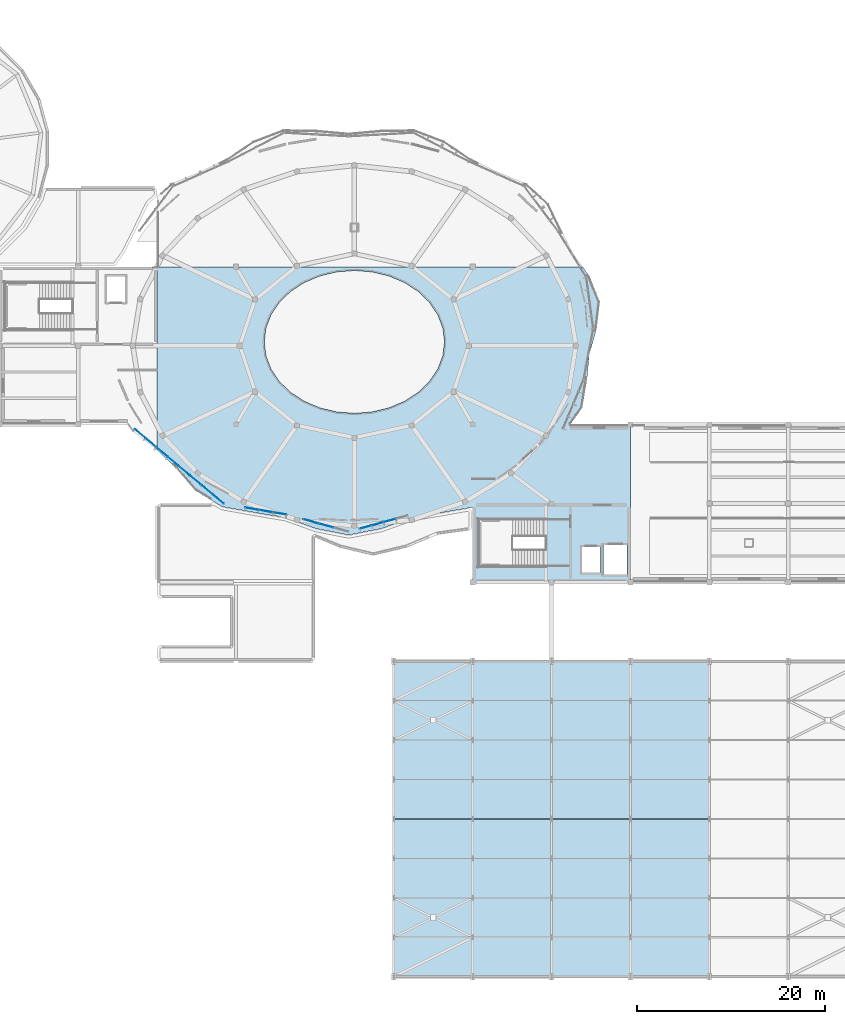
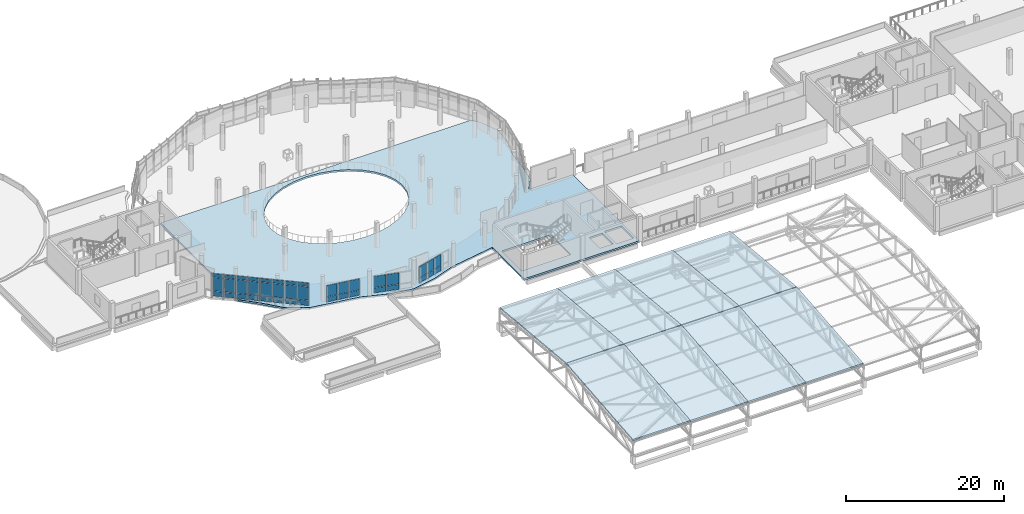
# One storey, part 49 of 74: 40 plates, 9 slabs, 7 elements without a shape of their own.
"""IFC4 building model written with IfcOpenShell, lengths in metres."""

from ifc_helpers import new_model, si_unit, derived_unit, direction, frame, origin, origin_2d, place, context, subcontext, project, spatial, polyline, rectangle, outline, extrude, material, layer, layer_set, type_object, element, aggregate, save


model = new_model("IFC4")

# Units and contexts
model_context = context("Model", 3, precision=1e-05, world=origin(), true_north=direction((0.0, 1.0)))
body_context = subcontext(model_context, "Body", "Model", "MODEL_VIEW")
ifc_project = project(units=[si_unit("LENGTHUNIT", "METRE"), si_unit("AREAUNIT", "SQUARE_METRE"), si_unit("VOLUMEUNIT", "CUBIC_METRE"), si_unit("PLANEANGLEUNIT", "RADIAN"), si_unit("MASSUNIT", "GRAM", prefix="KILO"), derived_unit("THERMALTRANSMITTANCEUNIT", [(si_unit("POWERUNIT", "WATT"), 1), (si_unit("LENGTHUNIT", "METRE"), -2), (si_unit("THERMODYNAMICTEMPERATUREUNIT", "KELVIN"), -1)])], contexts=[model_context])

# Site, building, storey
site_placement = place(None, origin())
site = spatial("IfcSite", under=ifc_project, at=site_placement, CompositionType="ELEMENT")
building_placement = place(site_placement, origin())
building = spatial("IfcBuilding", under=site, at=building_placement, Name="Elbkamm Science Centre", CompositionType="ELEMENT")
storey_placement = place(building_placement, frame((0.0, 0.0, 14.39990234375)))
storey = spatial("IfcBuildingStorey", under=building, at=storey_placement, Name="L03", CompositionType="ELEMENT", Elevation=14.39990234375)

# Curtain wall, plates
ifc_material_1 = material(Name="Powder-coated aluminium and triple low-E glazing", Category="aluminium")
ifc_layer_1 = layer(ifc_material_1, 0.159912109375)
ifc_layer_set_1 = layer_set([ifc_layer_1], Name="Powder-coated aluminium and triple low-E glazing")
curtain_wall_type_1 = type_object("IfcCurtainWallType", Name="CW-UNIT-3020x3620", PredefinedType="USERDEFINED", material=ifc_layer_set_1)
curtain_wall_1_placement = place(storey_placement, origin())
curtain_wall_1 = element("IfcCurtainWall", 1, at=curtain_wall_1_placement, inside=storey, type_object=curtain_wall_type_1, Name="L03 Unitised Curtain Wall 065", ObjectType="UNITISED CURTAIN WALL", PredefinedType="USERDEFINED")
ifc_material_2 = material(Name="Triple solar-control insulated safety glass", Category="glass")
ifc_layer_2 = layer(ifc_material_2, 0.0400390625)
ifc_layer_set_2 = layer_set([ifc_layer_2], Name="Triple solar-control insulated safety glass")
plate_type = type_object("IfcPlateType", Name="CW-PNL-40", PredefinedType="CURTAIN_PANEL", material=ifc_layer_set_2)
plate_1_placement = place(storey_placement, frame((40.180908203125, 57.837646484375, 0.06005859375), z_axis=(0.0, 0.0, 1.0), x_axis=(0.765061789622, -0.643956875932, 0.0)))
plate_1 = element("IfcPlate", 2, at=plate_1_placement, type_object=plate_type, Name="CW-026 panel 1.1", PredefinedType="CURTAIN_PANEL", context=body_context, shape_type="SweptSolid", body=[
    extrude(rectangle(XDim=1.41650390625, YDim=0.0400390625, at=origin_2d()), origin(), (0.0, 0.0, 1.0), 0.760009765625),
])
plate_2_placement = place(storey_placement, frame((40.180908203125, 57.837646484375, 0.880126953125), z_axis=(0.0, 0.0, 1.0), x_axis=(0.765061789622, -0.643956875932, 0.0)))
plate_2 = element("IfcPlate", 3, at=plate_2_placement, type_object=plate_type, Name="CW-026 panel 1.2", PredefinedType="CURTAIN_PANEL", context=body_context, shape_type="SweptSolid", body=[
    extrude(rectangle(XDim=1.41650390625, YDim=0.0400390625, at=origin_2d()), origin(), (0.0, 0.0, 1.0), 2.06005859375),
])
plate_3_placement = place(storey_placement, frame((40.180908203125, 57.837646484375, 3.0), z_axis=(0.0, 0.0, 1.0), x_axis=(0.765061789622, -0.643956875932, 0.0)))
plate_3 = element("IfcPlate", 4, at=plate_3_placement, type_object=plate_type, Name="CW-026 panel 1.3", PredefinedType="CURTAIN_PANEL", context=body_context, shape_type="SweptSolid", body=[
    extrude(rectangle(XDim=1.41650390625, YDim=0.0400390625, at=origin_2d()), origin(), (0.0, 0.0, 1.0), 0.56005859375),
])
plate_4_placement = place(storey_placement, frame((41.310546875, 56.886962890625, 0.06005859375), z_axis=(0.0, 0.0, 1.0), x_axis=(0.765061789622, -0.643956875932, 0.0)))
plate_4 = element("IfcPlate", 5, at=plate_4_placement, type_object=plate_type, Name="CW-026 panel 2.1", PredefinedType="CURTAIN_PANEL", context=body_context, shape_type="SweptSolid", body=[
    extrude(rectangle(XDim=1.41650390625, YDim=0.0400390625, at=origin_2d()), origin(), (0.0, 0.0, 1.0), 0.760009765625),
])
plate_5_placement = place(storey_placement, frame((41.310546875, 56.886962890625, 0.880126953125), z_axis=(0.0, 0.0, 1.0), x_axis=(0.765061789622, -0.643956875932, 0.0)))
plate_5 = element("IfcPlate", 6, at=plate_5_placement, type_object=plate_type, Name="CW-026 panel 2.2", PredefinedType="CURTAIN_PANEL", context=body_context, shape_type="SweptSolid", body=[
    extrude(rectangle(XDim=1.41650390625, YDim=0.0400390625, at=origin_2d()), origin(), (0.0, 0.0, 1.0), 2.06005859375),
])
plate_6_placement = place(storey_placement, frame((41.310546875, 56.886962890625, 3.0), z_axis=(0.0, 0.0, 1.0), x_axis=(0.765061789622, -0.643956875932, 0.0)))
plate_6 = element("IfcPlate", 7, at=plate_6_placement, type_object=plate_type, Name="CW-026 panel 2.3", PredefinedType="CURTAIN_PANEL", context=body_context, shape_type="SweptSolid", body=[
    extrude(rectangle(XDim=1.41650390625, YDim=0.0400390625, at=origin_2d()), origin(), (0.0, 0.0, 1.0), 0.56005859375),
])
aggregate(curtain_wall_1, [plate_1, plate_2, plate_3, plate_4, plate_5, plate_6])

curtain_wall_2_placement = place(storey_placement, origin())
curtain_wall_2 = element("IfcCurtainWall", 8, at=curtain_wall_2_placement, inside=storey, type_object=curtain_wall_type_1, Name="L03 Unitised Curtain Wall 066", ObjectType="UNITISED CURTAIN WALL", PredefinedType="USERDEFINED")
plate_7_placement = place(storey_placement, frame((42.54736328125, 55.845947265625, 0.06005859375), z_axis=(0.0, 0.0, 1.0), x_axis=(0.765061789622, -0.643956875932, 0.0)))
plate_7 = element("IfcPlate", 9, at=plate_7_placement, type_object=plate_type, Name="CW-026 panel 1.1", PredefinedType="CURTAIN_PANEL", context=body_context, shape_type="SweptSolid", body=[
    extrude(rectangle(XDim=1.41650390625, YDim=0.0400390625, at=origin_2d()), origin(), (0.0, 0.0, 1.0), 0.760009765625),
])
plate_8_placement = place(storey_placement, frame((42.54736328125, 55.845947265625, 0.880126953125), z_axis=(0.0, 0.0, 1.0), x_axis=(0.765061789622, -0.643956875932, 0.0)))
plate_8 = element("IfcPlate", 10, at=plate_8_placement, type_object=plate_type, Name="CW-026 panel 1.2", PredefinedType="CURTAIN_PANEL", context=body_context, shape_type="SweptSolid", body=[
    extrude(rectangle(XDim=1.41650390625, YDim=0.0400390625, at=origin_2d()), origin(), (0.0, 0.0, 1.0), 2.06005859375),
])
plate_9_placement = place(storey_placement, frame((42.54736328125, 55.845947265625, 3.0), z_axis=(0.0, 0.0, 1.0), x_axis=(0.765061789622, -0.643956875932, 0.0)))
plate_9 = element("IfcPlate", 11, at=plate_9_placement, type_object=plate_type, Name="CW-026 panel 1.3", PredefinedType="CURTAIN_PANEL", context=body_context, shape_type="SweptSolid", body=[
    extrude(rectangle(XDim=1.41650390625, YDim=0.0400390625, at=origin_2d()), origin(), (0.0, 0.0, 1.0), 0.56005859375),
])
plate_10_placement = place(storey_placement, frame((43.67724609375, 54.89501953125, 0.06005859375), z_axis=(0.0, 0.0, 1.0), x_axis=(0.765061789622, -0.643956875932, 0.0)))
plate_10 = element("IfcPlate", 12, at=plate_10_placement, type_object=plate_type, Name="CW-026 panel 2.1", PredefinedType="CURTAIN_PANEL", context=body_context, shape_type="SweptSolid", body=[
    extrude(rectangle(XDim=1.41650390625, YDim=0.0400390625, at=origin_2d()), origin(), (0.0, 0.0, 1.0), 0.760009765625),
])
plate_11_placement = place(storey_placement, frame((43.67724609375, 54.89501953125, 0.880126953125), z_axis=(0.0, 0.0, 1.0), x_axis=(0.765061789622, -0.643956875932, 0.0)))
plate_11 = element("IfcPlate", 13, at=plate_11_placement, type_object=plate_type, Name="CW-026 panel 2.2", PredefinedType="CURTAIN_PANEL", context=body_context, shape_type="SweptSolid", body=[
    extrude(rectangle(XDim=1.41650390625, YDim=0.0400390625, at=origin_2d()), origin(), (0.0, 0.0, 1.0), 2.06005859375),
])
plate_12_placement = place(storey_placement, frame((43.67724609375, 54.89501953125, 3.0), z_axis=(0.0, 0.0, 1.0), x_axis=(0.765061789622, -0.643956875932, 0.0)))
plate_12 = element("IfcPlate", 14, at=plate_12_placement, type_object=plate_type, Name="CW-026 panel 2.3", PredefinedType="CURTAIN_PANEL", context=body_context, shape_type="SweptSolid", body=[
    extrude(rectangle(XDim=1.41650390625, YDim=0.0400390625, at=origin_2d()), origin(), (0.0, 0.0, 1.0), 0.56005859375),
])
aggregate(curtain_wall_2, [plate_7, plate_8, plate_9, plate_10, plate_11, plate_12])

ifc_layer_3 = layer(ifc_material_1, 0.159912109375)
ifc_layer_set_3 = layer_set([ifc_layer_3], Name="Powder-coated aluminium and triple low-E glazing")
curtain_wall_type_2 = type_object("IfcCurtainWallType", Name="CW-UNIT-3120x3620", PredefinedType="USERDEFINED", material=ifc_layer_set_3)
curtain_wall_3_placement = place(storey_placement, origin())
curtain_wall_3 = element("IfcCurtainWall", 15, at=curtain_wall_3_placement, inside=storey, type_object=curtain_wall_type_2, Name="L03 Unitised Curtain Wall 067", ObjectType="UNITISED CURTAIN WALL", PredefinedType="USERDEFINED")
plate_13_placement = place(storey_placement, frame((44.876708984375, 53.889892578125, 0.06005859375), z_axis=(0.0, 0.0, 1.0), x_axis=(0.767835793604, -0.640646699875, 0.0)))
plate_13 = element("IfcPlate", 16, at=plate_13_placement, type_object=plate_type, Name="CW-027 panel 1.1", PredefinedType="CURTAIN_PANEL", context=body_context, shape_type="SweptSolid", body=[
    extrude(rectangle(XDim=1.473388671875, YDim=0.0400390625, at=origin_2d()), origin(), (0.0, 0.0, 1.0), 0.760009765625),
])
plate_14_placement = place(storey_placement, frame((44.876708984375, 53.889892578125, 0.880126953125), z_axis=(0.0, 0.0, 1.0), x_axis=(0.767835793604, -0.640646699875, 0.0)))
plate_14 = element("IfcPlate", 17, at=plate_14_placement, type_object=plate_type, Name="CW-027 panel 1.2", PredefinedType="CURTAIN_PANEL", context=body_context, shape_type="SweptSolid", body=[
    extrude(rectangle(XDim=1.473388671875, YDim=0.0400390625, at=origin_2d()), origin(), (0.0, 0.0, 1.0), 2.06005859375),
])
plate_15_placement = place(storey_placement, frame((44.876708984375, 53.889892578125, 3.0), z_axis=(0.0, 0.0, 1.0), x_axis=(0.767835793604, -0.640646699875, 0.0)))
plate_15 = element("IfcPlate", 18, at=plate_15_placement, type_object=plate_type, Name="CW-027 panel 1.3", PredefinedType="CURTAIN_PANEL", context=body_context, shape_type="SweptSolid", body=[
    extrude(rectangle(XDim=1.473388671875, YDim=0.0400390625, at=origin_2d()), origin(), (0.0, 0.0, 1.0), 0.56005859375),
])
plate_16_placement = place(storey_placement, frame((46.053955078125, 52.90771484375, 0.06005859375), z_axis=(0.0, 0.0, 1.0), x_axis=(0.767835793604, -0.640646699875, 0.0)))
plate_16 = element("IfcPlate", 19, at=plate_16_placement, type_object=plate_type, Name="CW-027 panel 2.1", PredefinedType="CURTAIN_PANEL", context=body_context, shape_type="SweptSolid", body=[
    extrude(rectangle(XDim=1.473388671875, YDim=0.0400390625, at=origin_2d()), origin(), (0.0, 0.0, 1.0), 0.760009765625),
])
plate_17_placement = place(storey_placement, frame((46.053955078125, 52.90771484375, 0.880126953125), z_axis=(0.0, 0.0, 1.0), x_axis=(0.767835793604, -0.640646699875, 0.0)))
plate_17 = element("IfcPlate", 20, at=plate_17_placement, type_object=plate_type, Name="CW-027 panel 2.2", PredefinedType="CURTAIN_PANEL", context=body_context, shape_type="SweptSolid", body=[
    extrude(rectangle(XDim=1.473388671875, YDim=0.0400390625, at=origin_2d()), origin(), (0.0, 0.0, 1.0), 2.06005859375),
])
plate_18_placement = place(storey_placement, frame((46.053955078125, 52.90771484375, 3.0), z_axis=(0.0, 0.0, 1.0), x_axis=(0.767835793604, -0.640646699875, 0.0)))
plate_18 = element("IfcPlate", 21, at=plate_18_placement, type_object=plate_type, Name="CW-027 panel 2.3", PredefinedType="CURTAIN_PANEL", context=body_context, shape_type="SweptSolid", body=[
    extrude(rectangle(XDim=1.473388671875, YDim=0.0400390625, at=origin_2d()), origin(), (0.0, 0.0, 1.0), 0.56005859375),
])
aggregate(curtain_wall_3, [plate_13, plate_14, plate_15, plate_16, plate_17, plate_18])

curtain_wall_4_placement = place(storey_placement, origin())
curtain_wall_4 = element("IfcCurtainWall", 22, at=curtain_wall_4_placement, inside=storey, type_object=curtain_wall_type_2, Name="L03 Unitised Curtain Wall 068", ObjectType="UNITISED CURTAIN WALL", PredefinedType="USERDEFINED")
plate_19_placement = place(storey_placement, frame((47.339111328125, 51.83544921875, 0.06005859375), z_axis=(0.0, 0.0, 1.0), x_axis=(0.767835793604, -0.640646699875, 0.0)))
plate_19 = element("IfcPlate", 23, at=plate_19_placement, type_object=plate_type, Name="CW-027 panel 1.1", PredefinedType="CURTAIN_PANEL", context=body_context, shape_type="SweptSolid", body=[
    extrude(rectangle(XDim=1.473388671875, YDim=0.0400390625, at=origin_2d()), origin(), (0.0, 0.0, 1.0), 0.760009765625),
])
plate_20_placement = place(storey_placement, frame((47.339111328125, 51.83544921875, 0.880126953125), z_axis=(0.0, 0.0, 1.0), x_axis=(0.767835793604, -0.640646699875, 0.0)))
plate_20 = element("IfcPlate", 24, at=plate_20_placement, type_object=plate_type, Name="CW-027 panel 1.2", PredefinedType="CURTAIN_PANEL", context=body_context, shape_type="SweptSolid", body=[
    extrude(rectangle(XDim=1.473388671875, YDim=0.0400390625, at=origin_2d()), origin(), (0.0, 0.0, 1.0), 2.06005859375),
])
plate_21_placement = place(storey_placement, frame((47.339111328125, 51.83544921875, 3.0), z_axis=(0.0, 0.0, 1.0), x_axis=(0.767835793604, -0.640646699875, 0.0)))
plate_21 = element("IfcPlate", 25, at=plate_21_placement, type_object=plate_type, Name="CW-027 panel 1.3", PredefinedType="CURTAIN_PANEL", context=body_context, shape_type="SweptSolid", body=[
    extrude(rectangle(XDim=1.473388671875, YDim=0.0400390625, at=origin_2d()), origin(), (0.0, 0.0, 1.0), 0.56005859375),
])
plate_22_placement = place(storey_placement, frame((48.516357421875, 50.85302734375, 0.06005859375), z_axis=(0.0, 0.0, 1.0), x_axis=(0.767835793604, -0.640646699875, 0.0)))
plate_22 = element("IfcPlate", 26, at=plate_22_placement, type_object=plate_type, Name="CW-027 panel 2.1", PredefinedType="CURTAIN_PANEL", context=body_context, shape_type="SweptSolid", body=[
    extrude(rectangle(XDim=1.473388671875, YDim=0.0400390625, at=origin_2d()), origin(), (0.0, 0.0, 1.0), 0.760009765625),
])
plate_23_placement = place(storey_placement, frame((48.516357421875, 50.85302734375, 0.880126953125), z_axis=(0.0, 0.0, 1.0), x_axis=(0.767835793604, -0.640646699875, 0.0)))
plate_23 = element("IfcPlate", 27, at=plate_23_placement, type_object=plate_type, Name="CW-027 panel 2.2", PredefinedType="CURTAIN_PANEL", context=body_context, shape_type="SweptSolid", body=[
    extrude(rectangle(XDim=1.473388671875, YDim=0.0400390625, at=origin_2d()), origin(), (0.0, 0.0, 1.0), 2.06005859375),
])
plate_24_placement = place(storey_placement, frame((48.516357421875, 50.85302734375, 3.0), z_axis=(0.0, 0.0, 1.0), x_axis=(0.767835793604, -0.640646699875, 0.0)))
plate_24 = element("IfcPlate", 28, at=plate_24_placement, type_object=plate_type, Name="CW-027 panel 2.3", PredefinedType="CURTAIN_PANEL", context=body_context, shape_type="SweptSolid", body=[
    extrude(rectangle(XDim=1.473388671875, YDim=0.0400390625, at=origin_2d()), origin(), (0.0, 0.0, 1.0), 0.56005859375),
])
aggregate(curtain_wall_4, [plate_19, plate_20, plate_21, plate_22, plate_23, plate_24])

ifc_layer_4 = layer(ifc_material_1, 0.159912109375)
ifc_layer_set_4 = layer_set([ifc_layer_4], Name="Powder-coated aluminium and triple low-E glazing")
curtain_wall_type_3 = type_object("IfcCurtainWallType", Name="CW-UNIT-4540x2680", PredefinedType="USERDEFINED", material=ifc_layer_set_4)
curtain_wall_5_placement = place(storey_placement, origin())
curtain_wall_5 = element("IfcCurtainWall", 29, at=curtain_wall_5_placement, inside=storey, type_object=curtain_wall_type_3, Name="L03 Unitised Curtain Wall 069", ObjectType="UNITISED CURTAIN WALL", PredefinedType="USERDEFINED")
plate_25_placement = place(storey_placement, frame((52.08740234375, 49.83544921875, 0.06005859375), z_axis=(0.0, 0.0, 1.0), x_axis=(0.985626553063, -0.168938740073, 0.0)))
plate_25 = element("IfcPlate", 30, at=plate_25_placement, type_object=plate_type, Name="CW-028 panel 1.1", PredefinedType="CURTAIN_PANEL", context=body_context, shape_type="SweptSolid", body=[
    extrude(rectangle(XDim=1.4228515625, YDim=0.0400390625, at=origin_2d()), origin(), (0.0, 0.0, 1.0), 0.760009765625),
])
plate_26_placement = place(storey_placement, frame((52.08740234375, 49.83544921875, 0.880126953125), z_axis=(0.0, 0.0, 1.0), x_axis=(0.985626553063, -0.168938740073, 0.0)))
plate_26 = element("IfcPlate", 31, at=plate_26_placement, type_object=plate_type, Name="CW-028 panel 1.2", PredefinedType="CURTAIN_PANEL", context=body_context, shape_type="SweptSolid", body=[
    extrude(rectangle(XDim=1.4228515625, YDim=0.0400390625, at=origin_2d()), origin(), (0.0, 0.0, 1.0), 1.72998046875),
])
plate_27_placement = place(storey_placement, frame((53.563720703125, 49.58251953125, 0.06005859375), z_axis=(0.0, 0.0, 1.0), x_axis=(0.985626553063, -0.168938740073, 0.0)))
plate_27 = element("IfcPlate", 32, at=plate_27_placement, type_object=plate_type, Name="CW-028 panel 2.1", PredefinedType="CURTAIN_PANEL", context=body_context, shape_type="SweptSolid", body=[
    extrude(rectangle(XDim=1.452880859375, YDim=0.0400390625, at=origin_2d()), origin(), (0.0, 0.0, 1.0), 0.760009765625),
])
plate_28_placement = place(storey_placement, frame((53.563720703125, 49.58251953125, 0.880126953125), z_axis=(0.0, 0.0, 1.0), x_axis=(0.985626553063, -0.168938740073, 0.0)))
plate_28 = element("IfcPlate", 33, at=plate_28_placement, type_object=plate_type, Name="CW-028 panel 2.2", PredefinedType="CURTAIN_PANEL", context=body_context, shape_type="SweptSolid", body=[
    extrude(rectangle(XDim=1.452880859375, YDim=0.0400390625, at=origin_2d()), origin(), (0.0, 0.0, 1.0), 1.72998046875),
])
plate_29_placement = place(storey_placement, frame((55.0400390625, 49.329345703125, 0.06005859375), z_axis=(0.0, 0.0, 1.0), x_axis=(0.985626553063, -0.168938740073, 0.0)))
plate_29 = element("IfcPlate", 34, at=plate_29_placement, type_object=plate_type, Name="CW-028 panel 3.1", PredefinedType="CURTAIN_PANEL", context=body_context, shape_type="SweptSolid", body=[
    extrude(rectangle(XDim=1.4228515625, YDim=0.0400390625, at=origin_2d()), origin(), (0.0, 0.0, 1.0), 0.760009765625),
])
plate_30_placement = place(storey_placement, frame((55.0400390625, 49.329345703125, 0.880126953125), z_axis=(0.0, 0.0, 1.0), x_axis=(0.985626553063, -0.168938740073, 0.0)))
plate_30 = element("IfcPlate", 35, at=plate_30_placement, type_object=plate_type, Name="CW-028 panel 3.2", PredefinedType="CURTAIN_PANEL", context=body_context, shape_type="SweptSolid", body=[
    extrude(rectangle(XDim=1.4228515625, YDim=0.0400390625, at=origin_2d()), origin(), (0.0, 0.0, 1.0), 1.72998046875),
])
aggregate(curtain_wall_5, [plate_25, plate_26, plate_27, plate_28, plate_29, plate_30])

ifc_layer_5 = layer(ifc_material_1, 0.159912109375)
ifc_layer_set_5 = layer_set([ifc_layer_5], Name="Powder-coated aluminium and triple low-E glazing")
curtain_wall_type_4 = type_object("IfcCurtainWallType", Name="CW-UNIT-5080x2680", PredefinedType="USERDEFINED", material=ifc_layer_set_5)
curtain_wall_6_placement = place(storey_placement, origin())
curtain_wall_6 = element("IfcCurtainWall", 36, at=curtain_wall_6_placement, inside=storey, type_object=curtain_wall_type_4, Name="L03 Unitised Curtain Wall 070", ObjectType="UNITISED CURTAIN WALL", PredefinedType="USERDEFINED")
plate_31_placement = place(storey_placement, frame((58.3349609375, 48.50048828125, 0.06005859375), z_axis=(0.0, 0.0, 1.0), x_axis=(0.964050912407, -0.265717591226, 0.0)))
plate_31 = element("IfcPlate", 37, at=plate_31_placement, type_object=plate_type, Name="CW-029 panel 1.1", PredefinedType="CURTAIN_PANEL", context=body_context, shape_type="SweptSolid", body=[
    extrude(rectangle(XDim=1.6025390625, YDim=0.0400390625, at=origin_2d()), origin(), (0.0, 0.0, 1.0), 0.760009765625),
])
plate_32_placement = place(storey_placement, frame((58.3349609375, 48.50048828125, 0.880126953125), z_axis=(0.0, 0.0, 1.0), x_axis=(0.964050912407, -0.265717591226, 0.0)))
plate_32 = element("IfcPlate", 38, at=plate_32_placement, type_object=plate_type, Name="CW-029 panel 1.2", PredefinedType="CURTAIN_PANEL", context=body_context, shape_type="SweptSolid", body=[
    extrude(rectangle(XDim=1.6025390625, YDim=0.0400390625, at=origin_2d()), origin(), (0.0, 0.0, 1.0), 1.72998046875),
])
plate_33_placement = place(storey_placement, frame((59.952392578125, 48.0546875, 0.06005859375), z_axis=(0.0, 0.0, 1.0), x_axis=(0.964050912407, -0.265717591226, 0.0)))
plate_33 = element("IfcPlate", 39, at=plate_33_placement, type_object=plate_type, Name="CW-029 panel 2.1", PredefinedType="CURTAIN_PANEL", context=body_context, shape_type="SweptSolid", body=[
    extrude(rectangle(XDim=1.632568359375, YDim=0.0400390625, at=origin_2d()), origin(), (0.0, 0.0, 1.0), 0.760009765625),
])
plate_34_placement = place(storey_placement, frame((59.952392578125, 48.0546875, 0.880126953125), z_axis=(0.0, 0.0, 1.0), x_axis=(0.964050912407, -0.265717591226, 0.0)))
plate_34 = element("IfcPlate", 40, at=plate_34_placement, type_object=plate_type, Name="CW-029 panel 2.2", PredefinedType="CURTAIN_PANEL", context=body_context, shape_type="SweptSolid", body=[
    extrude(rectangle(XDim=1.632568359375, YDim=0.0400390625, at=origin_2d()), origin(), (0.0, 0.0, 1.0), 1.72998046875),
])
aggregate(curtain_wall_6, [plate_31, plate_32, plate_33, plate_34])

ifc_layer_6 = layer(ifc_material_1, 0.159912109375)
ifc_layer_set_6 = layer_set([ifc_layer_6], Name="Powder-coated aluminium and triple low-E glazing")
curtain_wall_type_5 = type_object("IfcCurtainWallType", Name="CW-UNIT-5360x2680", PredefinedType="USERDEFINED", material=ifc_layer_set_6)
curtain_wall_7_placement = place(storey_placement, origin())
curtain_wall_7 = element("IfcCurtainWall", 41, at=curtain_wall_7_placement, inside=storey, type_object=curtain_wall_type_5, Name="L03 Unitised Curtain Wall 071", ObjectType="UNITISED CURTAIN WALL", PredefinedType="USERDEFINED")
plate_35_placement = place(storey_placement, frame((64.1953125, 47.874755859375, 0.06005859375), z_axis=(0.0, 0.0, 1.0), x_axis=(0.964047563143, 0.265729742405, 0.0)))
plate_35 = element("IfcPlate", 42, at=plate_35_placement, type_object=plate_type, Name="CW-030 panel 1.1", PredefinedType="CURTAIN_PANEL", context=body_context, shape_type="SweptSolid", body=[
    extrude(rectangle(XDim=1.248779296875, YDim=0.0400390625, at=origin_2d()), origin(), (0.0, 0.0, 1.0), 0.760009765625),
])
plate_36_placement = place(storey_placement, frame((64.1953125, 47.874755859375, 0.880126953125), z_axis=(0.0, 0.0, 1.0), x_axis=(0.964047563143, 0.265729742405, 0.0)))
plate_36 = element("IfcPlate", 43, at=plate_36_placement, type_object=plate_type, Name="CW-030 panel 1.2", PredefinedType="CURTAIN_PANEL", context=body_context, shape_type="SweptSolid", body=[
    extrude(rectangle(XDim=1.248779296875, YDim=0.0400390625, at=origin_2d()), origin(), (0.0, 0.0, 1.0), 1.72998046875),
])
plate_37_placement = place(storey_placement, frame((65.4716796875, 48.2265625, 0.06005859375), z_axis=(0.0, 0.0, 1.0), x_axis=(0.964047563143, 0.265729742405, 0.0)))
plate_37 = element("IfcPlate", 44, at=plate_37_placement, type_object=plate_type, Name="CW-030 panel 2.1", PredefinedType="CURTAIN_PANEL", context=body_context, shape_type="SweptSolid", body=[
    extrude(rectangle(XDim=1.27880859375, YDim=0.0400390625, at=origin_2d()), origin(), (0.0, 0.0, 1.0), 0.760009765625),
])
plate_38_placement = place(storey_placement, frame((65.4716796875, 48.2265625, 0.880126953125), z_axis=(0.0, 0.0, 1.0), x_axis=(0.964047563143, 0.265729742405, 0.0)))
plate_38 = element("IfcPlate", 45, at=plate_38_placement, type_object=plate_type, Name="CW-030 panel 2.2", PredefinedType="CURTAIN_PANEL", context=body_context, shape_type="SweptSolid", body=[
    extrude(rectangle(XDim=1.27880859375, YDim=0.0400390625, at=origin_2d()), origin(), (0.0, 0.0, 1.0), 1.72998046875),
])
plate_39_placement = place(storey_placement, frame((66.76220703125, 48.58251953125, 0.06005859375), z_axis=(0.0, 0.0, 1.0), x_axis=(0.964047563143, 0.265729742405, 0.0)))
plate_39 = element("IfcPlate", 46, at=plate_39_placement, type_object=plate_type, Name="CW-030 panel 3.1", PredefinedType="CURTAIN_PANEL", context=body_context, shape_type="SweptSolid", body=[
    extrude(rectangle(XDim=1.27880859375, YDim=0.0400390625, at=origin_2d()), origin(), (0.0, 0.0, 1.0), 0.760009765625),
])
plate_40_placement = place(storey_placement, frame((66.76220703125, 48.58251953125, 0.880126953125), z_axis=(0.0, 0.0, 1.0), x_axis=(0.964047563143, 0.265729742405, 0.0)))
plate_40 = element("IfcPlate", 47, at=plate_40_placement, type_object=plate_type, Name="CW-030 panel 3.2", PredefinedType="CURTAIN_PANEL", context=body_context, shape_type="SweptSolid", body=[
    extrude(rectangle(XDim=1.27880859375, YDim=0.0400390625, at=origin_2d()), origin(), (0.0, 0.0, 1.0), 1.72998046875),
])
aggregate(curtain_wall_7, [plate_35, plate_36, plate_37, plate_38, plate_39, plate_40])

# Slabs
ifc_material_3 = material(Name="Reinforced concrete C40/50", Category="concrete")
ifc_layer_7 = layer(ifc_material_3, 0.280029296875)
ifc_layer_set_7 = layer_set([ifc_layer_7], Name="Reinforced concrete C40/50")
slab_type_1 = type_object("IfcSlabType", Name="SLAB-FLR-280", PredefinedType="FLOOR", material=ifc_layer_set_7)
slab_placement = place(storey_placement, frame((0.0, 0.0, -0.27978515625)))
element("IfcSlab", 48, at=slab_placement, inside=storey, type_object=slab_type_1, Name="L03 Structural Slab CM-02", PredefinedType="FLOOR", context=body_context, shape_type="SweptSolid", body=[
    extrude(outline(polyline([(44.017333984375, 54.15283203125), (42.0, 56.071044921875), (42.0, 75.60009765625), (87.304931640625, 75.60009765625), (88.04296875, 74.576904296875), (89.134521484375, 71.866943359375), (88.800048828125, 69.0), (88.013916015625, 66.280517578125), (87.7578125, 63.49951171875), (87.27685546875, 60.60888671875), (85.972900390625, 58.800048828125), (92.39990234375, 58.800048828125), (92.39990234375, 42.0), (75.60009765625, 42.0), (75.60009765625, 49.99560546875), (72.41943359375, 49.430419921875), (69.09033203125, 48.861083984375), (65.855712890625, 47.709228515625), (62.39990234375, 47.030029296875), (58.9443359375, 47.709228515625), (55.709716796875, 48.861083984375), (52.380615234375, 49.430419921875), (48.953125, 50.03955078125), (46.117431640625, 51.746826171875), (44.017333984375, 54.15283203125)]), holes=[polyline([(53.39990234375, 67.60009765625), (53.58447265625, 66.1171875), (54.130859375, 64.691650390625), (55.017822265625, 63.377685546875), (56.2119140625, 62.22607421875), (57.66650390625, 61.28076171875), (59.326171875, 60.57861328125), (61.127197265625, 60.14599609375), (63.0, 60.0), (64.872802734375, 60.14599609375), (66.673828125, 60.57861328125), (68.33349609375, 61.28076171875), (69.7880859375, 62.22607421875), (70.982177734375, 63.377685546875), (71.869140625, 64.691650390625), (72.41552734375, 66.1171875), (72.60009765625, 67.60009765625), (72.41552734375, 69.082763671875), (71.869140625, 70.50830078125), (70.982177734375, 71.822265625), (69.7880859375, 72.97412109375), (68.33349609375, 73.919189453125), (66.673828125, 74.62158203125), (64.872802734375, 75.053955078125), (63.0, 75.199951171875), (61.127197265625, 75.053955078125), (59.326171875, 74.62158203125), (57.66650390625, 73.919189453125), (56.2119140625, 72.97412109375), (55.017822265625, 71.822265625), (54.130859375, 70.50830078125), (53.58447265625, 69.082763671875), (53.39990234375, 67.60009765625)]), polyline([(83.3798828125, 48.719970703125), (76.199951171875, 48.719970703125), (76.199951171875, 43.679931640625), (83.3798828125, 43.679931640625), (83.3798828125, 48.719970703125)]), polyline([(89.14990234375, 45.75), (87.25, 45.75), (87.25, 43.050048828125), (89.14990234375, 43.050048828125), (89.14990234375, 45.75)]), polyline([(92.050048828125, 42.85009765625), (92.050048828125, 45.949951171875), (89.550048828125, 45.949951171875), (89.550048828125, 42.85009765625), (92.050048828125, 42.85009765625)])]), origin(), (0.0, 0.0, 1.0), 0.27978515625),
])
ifc_layer_8 = layer(ifc_material_3, 0.239990234375)
ifc_layer_set_8 = layer_set([ifc_layer_8], Name="Reinforced concrete C40/50")
slab_type_2 = type_object("IfcSlabType", Name="SLAB-ROOF-240", PredefinedType="ROOF", material=ifc_layer_set_8)
for number, where, z_axis, x_axis, name in (
    (49, (67.199951171875, 0.0, 3.636962890625), (0.0, -0.094334821049, 0.99554052732), (1.0, 0.0, 0.0), "Science Theatre South Sloped Roof Slab Bay 1"),
    (50, (67.199951171875, 16.840087890625, 5.22509765625), (0.0, 0.094334821049, 0.99554052732), (1.0, 0.0, 0.0), "Science Theatre North Sloped Roof Slab Bay 1"),
):
    element("IfcSlab", number, at=place(storey_placement, frame(where, z_axis=z_axis, x_axis=x_axis)), inside=storey, type_object=slab_type_2, Name=name, PredefinedType="ROOF", context=body_context, shape_type="SweptSolid", body=[
        extrude(outline(polyline([(0.0, 0.0), (8.400146484375, 0.0), (8.400146484375, 16.835085368884595), (0.0, 16.835085368884595), (0.0, 0.0)])), origin(), (0.0, 0.0, -1.0), 0.239990234375),
    ])
for number, where, z_axis, x_axis, name in (
    (51, (75.60009765625, 0.0, 3.636962890625), (0.0, -0.094334821049, 0.99554052732), (1.0, 0.0, 0.0), "Science Theatre South Sloped Roof Slab Bay 2"),
    (52, (75.60009765625, 16.840087890625, 5.22509765625), (0.0, 0.094334821049, 0.99554052732), (1.0, 0.0, 0.0), "Science Theatre North Sloped Roof Slab Bay 2"),
    (53, (84.0, 0.0, 3.636962890625), (0.0, -0.094334821049, 0.99554052732), (1.0, 0.0, 0.0), "Science Theatre South Sloped Roof Slab Bay 3"),
    (54, (84.0, 16.840087890625, 5.22509765625), (0.0, 0.094334821049, 0.99554052732), (1.0, 0.0, 0.0), "Science Theatre North Sloped Roof Slab Bay 3"),
):
    element("IfcSlab", number, at=place(storey_placement, frame(where, z_axis=z_axis, x_axis=x_axis)), inside=storey, type_object=slab_type_2, Name=name, PredefinedType="ROOF", context=body_context, shape_type="SweptSolid", body=[
        extrude(outline(polyline([(0.0, 0.0), (8.39990234375, 0.0), (8.39990234375, 16.835085368884595), (0.0, 16.835085368884595), (0.0, 0.0)])), origin(), (0.0, 0.0, -1.0), 0.239990234375),
    ])
for number, where, z_axis, x_axis, name in (
    (55, (92.39990234375, 0.0, 3.636962890625), (0.0, -0.094334821049, 0.99554052732), (1.0, 0.0, 0.0), "Science Theatre South Sloped Roof Slab Bay 4"),
    (56, (92.39990234375, 16.840087890625, 5.22509765625), (0.0, 0.094334821049, 0.99554052732), (1.0, 0.0, 0.0), "Science Theatre North Sloped Roof Slab Bay 4"),
):
    element("IfcSlab", number, at=place(storey_placement, frame(where, z_axis=z_axis, x_axis=x_axis)), inside=storey, type_object=slab_type_2, Name=name, PredefinedType="ROOF", context=body_context, shape_type="SweptSolid", body=[
        extrude(outline(polyline([(0.0, 0.0), (8.400146484375, 0.0), (8.400146484375, 16.835085368884595), (0.0, 16.835085368884595), (0.0, 0.0)])), origin(), (0.0, 0.0, -1.0), 0.239990234375),
    ])

save(model, "model.ifc")
